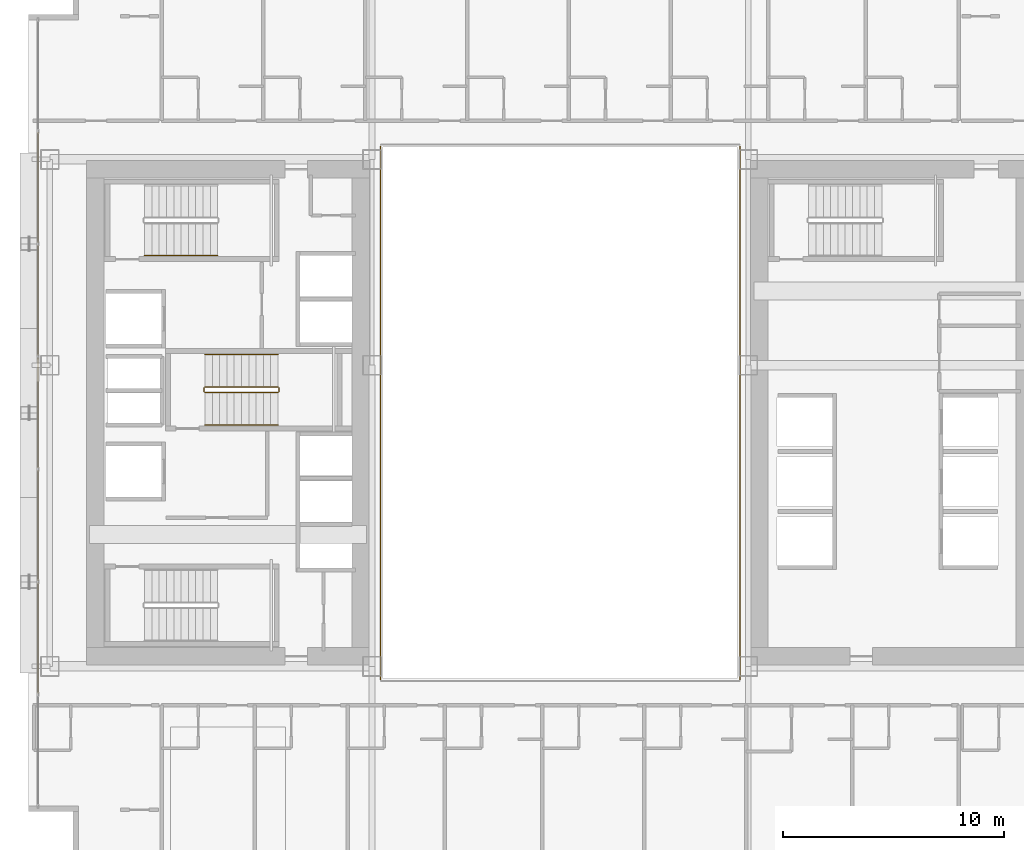
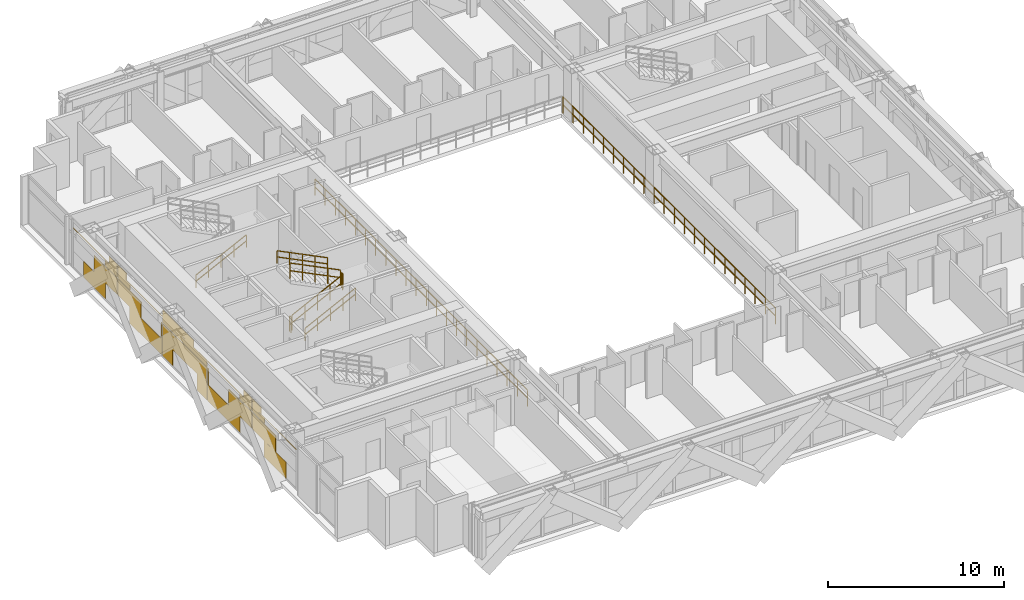
# One storey, part 34 of 36: 9 railings, 1 covering.
"""IFC4 building model written with IfcOpenShell, lengths in metres."""

from ifc_helpers import new_model, si_unit, direction, frame, origin, origin_2d, place, context, subcontext, project, spatial, rectangle, extrude, material, layer, layer_set, type_object, element, save


model = new_model("IFC4")

# Units and contexts
model_context = context("Model", 3, precision=1e-05, world=origin(), true_north=direction((0.0, 1.0)))
body_context = subcontext(model_context, "Body", "Model", "MODEL_VIEW")
ifc_project = project(units=[si_unit("LENGTHUNIT", "METRE"), si_unit("AREAUNIT", "SQUARE_METRE"), si_unit("VOLUMEUNIT", "CUBIC_METRE"), si_unit("PLANEANGLEUNIT", "RADIAN"), si_unit("MASSUNIT", "GRAM", prefix="KILO")], contexts=[model_context])

# Site, building, storey
site_placement = place(None, origin())
site = spatial("IfcSite", under=ifc_project, at=site_placement, CompositionType="ELEMENT")
building_placement = place(site_placement, origin())
building = spatial("IfcBuilding", under=site, at=building_placement, Name="Ocotamira Hotel", CompositionType="ELEMENT")
storey_placement = place(building_placement, frame((0.0, 0.0, 42.0)))
storey = spatial("IfcBuildingStorey", under=building, at=storey_placement, Name="L09", CompositionType="ELEMENT", Elevation=42.0)

# Covering
ifc_material_1 = material(Name="Insulated pale-metal aluminium spandrel panel", Category="aluminium")
ifc_layer = layer(ifc_material_1, 0.044921875)
ifc_layer_set = layer_set([ifc_layer], Name="Insulated pale-metal aluminium spandrel panel")
covering_type = type_object("IfcCoveringType", Name="COV-INFILL-45", PredefinedType="CLADDING", material=ifc_layer_set)
covering_placement = place(storey_placement, origin())
element("IfcCovering", 1, at=covering_placement, inside=storey, type_object=covering_type, Name="L09 Curtain Wall Infill CW-2 CW-L09-W", PredefinedType="CLADDING", context=body_context, shape_type="SweptSolid", body=[
    extrude(rectangle(XDim=2.49658203125, YDim=0.044921875, at=origin_2d()), frame((8.419921875, 15.752685546875, 0.07568359375), z_axis=(0.0, 0.0, 1.0), x_axis=(0.0, 1.0, 0.0)), (0.0, 0.0, 1.0), 1.11767578125),
    extrude(rectangle(XDim=2.640625, YDim=0.044921875, at=origin_2d()), frame((8.419921875, 17.010498046875, 1.1943359375), z_axis=(0.0, 0.0, 1.0), x_axis=(0.0, 1.0, 0.0)), (0.0, 0.0, 1.0), 1.11767578125),
    extrude(rectangle(XDim=5.004638671875, YDim=0.044921875, at=origin_2d()), frame((8.419921875, 15.82861328125, 2.756103515625), z_axis=(0.0, 0.0, 1.0), x_axis=(0.0, 1.0, 0.0)), (0.0, 0.0, 1.0), 0.033203125),
    extrude(rectangle(XDim=1.375, YDim=0.044921875, at=origin_2d()), frame((8.419921875, 17.643310546875, 2.38818359375), z_axis=(0.0, 0.0, 1.0), x_axis=(0.0, 1.0, 0.0)), (0.0, 0.0, 1.0), 0.366943359375),
    extrude(rectangle(XDim=0.948486328125, YDim=0.044921875, at=origin_2d()), frame((8.419921875, 17.856689453125, 2.79052734375), z_axis=(0.0, 0.0, 1.0), x_axis=(0.0, 1.0, 0.0)), (0.0, 0.0, 1.0), 0.484130859375),
    extrude(rectangle(XDim=2.631103515625, YDim=0.044921875, at=origin_2d()), frame((8.419921875, 19.727294921875, 1.1943359375), z_axis=(0.0, 0.0, 1.0), x_axis=(0.0, 1.0, 0.0)), (0.0, 0.0, 1.0), 1.11767578125),
    extrude(rectangle(XDim=3.684326171875, YDim=0.044921875, at=origin_2d()), frame((8.419921875, 21.574462890625, 0.07568359375), z_axis=(0.0, 0.0, 1.0), x_axis=(0.0, 1.0, 0.0)), (0.0, 0.0, 1.0), 1.11767578125),
    extrude(rectangle(XDim=0.093017578125, YDim=0.044921875, at=origin_2d()), frame((8.419921875, 23.3701171875, 1.1943359375), z_axis=(0.0, 0.0, 1.0), x_axis=(0.0, 1.0, 0.0)), (0.0, 0.0, 1.0), 1.11767578125),
    extrude(rectangle(XDim=1.365478515625, YDim=0.044921875, at=origin_2d()), frame((8.419921875, 19.094482421875, 2.38818359375), z_axis=(0.0, 0.0, 1.0), x_axis=(0.0, 1.0, 0.0)), (0.0, 0.0, 1.0), 0.366943359375),
    extrude(rectangle(XDim=5.004638671875, YDim=0.044921875, at=origin_2d()), frame((8.419921875, 20.914306640625, 2.756103515625), z_axis=(0.0, 0.0, 1.0), x_axis=(0.0, 1.0, 0.0)), (0.0, 0.0, 1.0), 0.033203125),
    extrude(rectangle(XDim=0.93896484375, YDim=0.044921875, at=origin_2d()), frame((8.419921875, 18.88134765625, 2.79052734375), z_axis=(0.0, 0.0, 1.0), x_axis=(0.0, 1.0, 0.0)), (0.0, 0.0, 1.0), 0.484130859375),
    extrude(rectangle(XDim=1.13671875, YDim=0.044921875, at=origin_2d()), frame((8.419921875, 24.06591796875, 0.07568359375), z_axis=(0.0, 0.0, 1.0), x_axis=(0.0, 1.0, 0.0)), (0.0, 0.0, 1.0), 1.11767578125),
    extrude(rectangle(XDim=5.004638671875, YDim=0.044921875, at=origin_2d()), frame((8.419921875, 26.0, 1.1943359375), z_axis=(0.0, 0.0, 1.0), x_axis=(0.0, 1.0, 0.0)), (0.0, 0.0, 1.0), 1.11767578125),
    extrude(rectangle(XDim=1.13671875, YDim=0.044921875, at=origin_2d()), frame((8.419921875, 27.93408203125, 0.07568359375), z_axis=(0.0, 0.0, 1.0), x_axis=(0.0, 1.0, 0.0)), (0.0, 0.0, 1.0), 1.11767578125),
    extrude(rectangle(XDim=5.004638671875, YDim=0.044921875, at=origin_2d()), frame((8.419921875, 26.0, 2.387939453125), z_axis=(0.0, 0.0, 1.0), x_axis=(0.0, 1.0, 0.0)), (0.0, 0.0, 1.0), 0.4013671875),
    extrude(rectangle(XDim=3.486572265625, YDim=0.044921875, at=origin_2d()), frame((8.419921875, 26.759033203125, 2.79052734375), z_axis=(0.0, 0.0, 1.0), x_axis=(0.0, 1.0, 0.0)), (0.0, 0.0, 1.0), 0.484130859375),
    extrude(rectangle(XDim=3.684326171875, YDim=0.044921875, at=origin_2d()), frame((8.419921875, 30.425537109375, 0.07568359375), z_axis=(0.0, 0.0, 1.0), x_axis=(0.0, 1.0, 0.0)), (0.0, 0.0, 1.0), 1.11767578125),
    extrude(rectangle(XDim=0.093017578125, YDim=0.044921875, at=origin_2d()), frame((8.419921875, 28.6298828125, 1.1943359375), z_axis=(0.0, 0.0, 1.0), x_axis=(0.0, 1.0, 0.0)), (0.0, 0.0, 1.0), 1.11767578125),
    extrude(rectangle(XDim=2.631103515625, YDim=0.044921875, at=origin_2d()), frame((8.419921875, 32.272705078125, 1.1943359375), z_axis=(0.0, 0.0, 1.0), x_axis=(0.0, 1.0, 0.0)), (0.0, 0.0, 1.0), 1.11767578125),
    extrude(rectangle(XDim=5.004638671875, YDim=0.044921875, at=origin_2d()), frame((8.419921875, 31.085693359375, 2.756103515625), z_axis=(0.0, 0.0, 1.0), x_axis=(0.0, 1.0, 0.0)), (0.0, 0.0, 1.0), 0.033203125),
    extrude(rectangle(XDim=1.365478515625, YDim=0.044921875, at=origin_2d()), frame((8.419921875, 32.905517578125, 2.38818359375), z_axis=(0.0, 0.0, 1.0), x_axis=(0.0, 1.0, 0.0)), (0.0, 0.0, 1.0), 0.366943359375),
    extrude(rectangle(XDim=0.93896484375, YDim=0.044921875, at=origin_2d()), frame((8.419921875, 33.11865234375, 2.79052734375), z_axis=(0.0, 0.0, 1.0), x_axis=(0.0, 1.0, 0.0)), (0.0, 0.0, 1.0), 0.484130859375),
    extrude(rectangle(XDim=2.640625, YDim=0.044921875, at=origin_2d()), frame((8.419921875, 34.989501953125, 1.1943359375), z_axis=(0.0, 0.0, 1.0), x_axis=(0.0, 1.0, 0.0)), (0.0, 0.0, 1.0), 1.11767578125),
    extrude(rectangle(XDim=2.49658203125, YDim=0.044921875, at=origin_2d()), frame((8.419921875, 36.247314453125, 0.07568359375), z_axis=(0.0, 0.0, 1.0), x_axis=(0.0, 1.0, 0.0)), (0.0, 0.0, 1.0), 1.11767578125),
    extrude(rectangle(XDim=1.375, YDim=0.044921875, at=origin_2d()), frame((8.419921875, 34.356689453125, 2.38818359375), z_axis=(0.0, 0.0, 1.0), x_axis=(0.0, 1.0, 0.0)), (0.0, 0.0, 1.0), 0.366943359375),
    extrude(rectangle(XDim=5.004638671875, YDim=0.044921875, at=origin_2d()), frame((8.419921875, 36.17138671875, 2.756103515625), z_axis=(0.0, 0.0, 1.0), x_axis=(0.0, 1.0, 0.0)), (0.0, 0.0, 1.0), 0.033203125),
    extrude(rectangle(XDim=0.948486328125, YDim=0.044921875, at=origin_2d()), frame((8.419921875, 34.143310546875, 2.79052734375), z_axis=(0.0, 0.0, 1.0), x_axis=(0.0, 1.0, 0.0)), (0.0, 0.0, 1.0), 0.484130859375),
])

# Railings
ifc_material_2 = material(Name="Painted steel stair guardrail", Category="steel")
railing_type_1 = type_object("IfcRailingType", Name="RL-EDGE-1150", PredefinedType="GUARDRAIL", material=ifc_material_2)
railing_1_placement = place(storey_placement, frame((40.1201171875, 13.9599609375, 0.0)))
element("IfcRailing", 2, at=railing_1_placement, inside=storey, type_object=railing_type_1, Name="L09 Central Atrium Edge Guardrail E", PredefinedType="GUARDRAIL", context=body_context, shape_type="SweptSolid", body=[
    extrude(rectangle(XDim=0.048095703125, YDim=0.048095703125, at=origin_2d()), frame((0.0, 0.0, 1.1259765625), z_axis=(0.0, 1.0, 0.0), x_axis=(-1.0, 0.0, 0.0)), (0.0, 0.0, 1.0), 24.080078125),
    extrude(rectangle(XDim=0.048095703125, YDim=0.048095703125, at=origin_2d()), frame((0.0, 0.0, 0.574951171875), z_axis=(0.0, 1.0, 0.0), x_axis=(-1.0, 0.0, 0.0)), (0.0, 0.0, 1.0), 24.080078125),
    extrude(rectangle(XDim=0.0419921875, YDim=0.0419921875, at=origin_2d()), origin(), (0.0, 0.0, 1.0), 1.101806640625),
    extrude(rectangle(XDim=0.0419921875, YDim=0.0419921875, at=origin_2d()), frame((0.0, 1.146728515625, 0.0)), (0.0, 0.0, 1.0), 1.101806640625),
    extrude(rectangle(XDim=0.0419921875, YDim=0.0419921875, at=origin_2d()), frame((0.0, 2.29345703125, 0.0)), (0.0, 0.0, 1.0), 1.101806640625),
    extrude(rectangle(XDim=0.0419921875, YDim=0.0419921875, at=origin_2d()), frame((0.0, 3.43994140625, 0.0)), (0.0, 0.0, 1.0), 1.101806640625),
    extrude(rectangle(XDim=0.0419921875, YDim=0.0419921875, at=origin_2d()), frame((0.0, 4.586669921875, 0.0)), (0.0, 0.0, 1.0), 1.101806640625),
    extrude(rectangle(XDim=0.0419921875, YDim=0.0419921875, at=origin_2d()), frame((0.0, 5.7333984375, 0.0)), (0.0, 0.0, 1.0), 1.101806640625),
    extrude(rectangle(XDim=0.0419921875, YDim=0.0419921875, at=origin_2d()), frame((0.0, 6.880126953125, 0.0)), (0.0, 0.0, 1.0), 1.101806640625),
    extrude(rectangle(XDim=0.0419921875, YDim=0.0419921875, at=origin_2d()), frame((0.0, 8.026611328125, 0.0)), (0.0, 0.0, 1.0), 1.101806640625),
    extrude(rectangle(XDim=0.0419921875, YDim=0.0419921875, at=origin_2d()), frame((0.0, 9.17333984375, 0.0)), (0.0, 0.0, 1.0), 1.101806640625),
    extrude(rectangle(XDim=0.0419921875, YDim=0.0419921875, at=origin_2d()), frame((0.0, 10.320068359375, 0.0)), (0.0, 0.0, 1.0), 1.101806640625),
    extrude(rectangle(XDim=0.0419921875, YDim=0.0419921875, at=origin_2d()), frame((0.0, 11.466796875, 0.0)), (0.0, 0.0, 1.0), 1.101806640625),
    extrude(rectangle(XDim=0.0419921875, YDim=0.0419921875, at=origin_2d()), frame((0.0, 12.61328125, 0.0)), (0.0, 0.0, 1.0), 1.101806640625),
    extrude(rectangle(XDim=0.0419921875, YDim=0.0419921875, at=origin_2d()), frame((0.0, 13.760009765625, 0.0)), (0.0, 0.0, 1.0), 1.101806640625),
    extrude(rectangle(XDim=0.0419921875, YDim=0.0419921875, at=origin_2d()), frame((0.0, 14.90673828125, 0.0)), (0.0, 0.0, 1.0), 1.101806640625),
    extrude(rectangle(XDim=0.0419921875, YDim=0.0419921875, at=origin_2d()), frame((0.0, 16.053466796875, 0.0)), (0.0, 0.0, 1.0), 1.101806640625),
    extrude(rectangle(XDim=0.0419921875, YDim=0.0419921875, at=origin_2d()), frame((0.0, 17.199951171875, 0.0)), (0.0, 0.0, 1.0), 1.101806640625),
    extrude(rectangle(XDim=0.0419921875, YDim=0.0419921875, at=origin_2d()), frame((0.0, 18.3466796875, 0.0)), (0.0, 0.0, 1.0), 1.101806640625),
    extrude(rectangle(XDim=0.0419921875, YDim=0.0419921875, at=origin_2d()), frame((0.0, 19.493408203125, 0.0)), (0.0, 0.0, 1.0), 1.101806640625),
    extrude(rectangle(XDim=0.0419921875, YDim=0.0419921875, at=origin_2d()), frame((0.0, 20.64013671875, 0.0)), (0.0, 0.0, 1.0), 1.101806640625),
    extrude(rectangle(XDim=0.0419921875, YDim=0.0419921875, at=origin_2d()), frame((0.0, 21.78662109375, 0.0)), (0.0, 0.0, 1.0), 1.101806640625),
    extrude(rectangle(XDim=0.0419921875, YDim=0.0419921875, at=origin_2d()), frame((0.0, 22.933349609375, 0.0)), (0.0, 0.0, 1.0), 1.101806640625),
    extrude(rectangle(XDim=0.0419921875, YDim=0.0419921875, at=origin_2d()), frame((0.0, 24.080078125, 0.0)), (0.0, 0.0, 1.0), 1.101806640625),
])
railing_2_placement = place(storey_placement, frame((23.8798828125, 38.0400390625, 0.0)))
element("IfcRailing", 3, at=railing_2_placement, inside=storey, type_object=railing_type_1, Name="L09 Central Atrium Edge Guardrail W", PredefinedType="GUARDRAIL", context=body_context, shape_type="SweptSolid", body=[
    extrude(rectangle(XDim=0.048095703125, YDim=0.048095703125, at=origin_2d()), frame((0.0, 0.0, 1.1259765625), z_axis=(0.0, -1.0, 0.0), x_axis=(1.0, 0.0, 0.0)), (0.0, 0.0, 1.0), 24.080078125),
    extrude(rectangle(XDim=0.048095703125, YDim=0.048095703125, at=origin_2d()), frame((0.0, 0.0, 0.574951171875), z_axis=(0.0, -1.0, 0.0), x_axis=(1.0, 0.0, 0.0)), (0.0, 0.0, 1.0), 24.080078125),
    extrude(rectangle(XDim=0.0419921875, YDim=0.0419921875, at=origin_2d()), origin(), (0.0, 0.0, 1.0), 1.101806640625),
    extrude(rectangle(XDim=0.0419921875, YDim=0.0419921875, at=origin_2d()), frame((0.0, -1.146728515625, 0.0)), (0.0, 0.0, 1.0), 1.101806640625),
    extrude(rectangle(XDim=0.0419921875, YDim=0.0419921875, at=origin_2d()), frame((0.0, -2.29345703125, 0.0)), (0.0, 0.0, 1.0), 1.101806640625),
    extrude(rectangle(XDim=0.0419921875, YDim=0.0419921875, at=origin_2d()), frame((0.0, -3.43994140625, 0.0)), (0.0, 0.0, 1.0), 1.101806640625),
    extrude(rectangle(XDim=0.0419921875, YDim=0.0419921875, at=origin_2d()), frame((0.0, -4.586669921875, 0.0)), (0.0, 0.0, 1.0), 1.101806640625),
    extrude(rectangle(XDim=0.0419921875, YDim=0.0419921875, at=origin_2d()), frame((0.0, -5.7333984375, 0.0)), (0.0, 0.0, 1.0), 1.101806640625),
    extrude(rectangle(XDim=0.0419921875, YDim=0.0419921875, at=origin_2d()), frame((0.0, -6.880126953125, 0.0)), (0.0, 0.0, 1.0), 1.101806640625),
    extrude(rectangle(XDim=0.0419921875, YDim=0.0419921875, at=origin_2d()), frame((0.0, -8.026611328125, 0.0)), (0.0, 0.0, 1.0), 1.101806640625),
    extrude(rectangle(XDim=0.0419921875, YDim=0.0419921875, at=origin_2d()), frame((0.0, -9.17333984375, 0.0)), (0.0, 0.0, 1.0), 1.101806640625),
    extrude(rectangle(XDim=0.0419921875, YDim=0.0419921875, at=origin_2d()), frame((0.0, -10.320068359375, 0.0)), (0.0, 0.0, 1.0), 1.101806640625),
    extrude(rectangle(XDim=0.0419921875, YDim=0.0419921875, at=origin_2d()), frame((0.0, -11.466796875, 0.0)), (0.0, 0.0, 1.0), 1.101806640625),
    extrude(rectangle(XDim=0.0419921875, YDim=0.0419921875, at=origin_2d()), frame((0.0, -12.61328125, 0.0)), (0.0, 0.0, 1.0), 1.101806640625),
    extrude(rectangle(XDim=0.0419921875, YDim=0.0419921875, at=origin_2d()), frame((0.0, -13.760009765625, 0.0)), (0.0, 0.0, 1.0), 1.101806640625),
    extrude(rectangle(XDim=0.0419921875, YDim=0.0419921875, at=origin_2d()), frame((0.0, -14.90673828125, 0.0)), (0.0, 0.0, 1.0), 1.101806640625),
    extrude(rectangle(XDim=0.0419921875, YDim=0.0419921875, at=origin_2d()), frame((0.0, -16.053466796875, 0.0)), (0.0, 0.0, 1.0), 1.101806640625),
    extrude(rectangle(XDim=0.0419921875, YDim=0.0419921875, at=origin_2d()), frame((0.0, -17.199951171875, 0.0)), (0.0, 0.0, 1.0), 1.101806640625),
    extrude(rectangle(XDim=0.0419921875, YDim=0.0419921875, at=origin_2d()), frame((0.0, -18.3466796875, 0.0)), (0.0, 0.0, 1.0), 1.101806640625),
    extrude(rectangle(XDim=0.0419921875, YDim=0.0419921875, at=origin_2d()), frame((0.0, -19.493408203125, 0.0)), (0.0, 0.0, 1.0), 1.101806640625),
    extrude(rectangle(XDim=0.0419921875, YDim=0.0419921875, at=origin_2d()), frame((0.0, -20.64013671875, 0.0)), (0.0, 0.0, 1.0), 1.101806640625),
    extrude(rectangle(XDim=0.0419921875, YDim=0.0419921875, at=origin_2d()), frame((0.0, -21.78662109375, 0.0)), (0.0, 0.0, 1.0), 1.101806640625),
    extrude(rectangle(XDim=0.0419921875, YDim=0.0419921875, at=origin_2d()), frame((0.0, -22.933349609375, 0.0)), (0.0, 0.0, 1.0), 1.101806640625),
    extrude(rectangle(XDim=0.0419921875, YDim=0.0419921875, at=origin_2d()), frame((0.0, -24.080078125, 0.0)), (0.0, 0.0, 1.0), 1.101806640625),
])
ifc_material_3 = material(Name="Brushed stainless steel handrail", Category="steel")
railing_type_2 = type_object("IfcRailingType", Name="RL-HAND-900", PredefinedType="HANDRAIL", material=ifc_material_3)
for number, where, name in (
    (4, (13.22998046875, 33.10009765625, 0.327392578125), "L09 ST-2 stair handrail 1"),
    (5, (15.9599609375, 25.449951171875, 0.327392578125), "L09 ST-3 stair handrail 1"),
):
    element("IfcRailing", number, at=place(storey_placement, frame(where)), inside=storey, type_object=railing_type_2, Name=name, PredefinedType="HANDRAIL", context=body_context, shape_type="SweptSolid", body=[
        extrude(rectangle(XDim=0.048095703125, YDim=0.048095703125, at=origin_2d()), frame((0.0, 0.0, 0.8759765625), z_axis=(0.895920123917, 0.0, 0.444215186098), x_axis=(0.0, 1.0, 0.0)), (0.0, 0.0, 1.0), 3.683349609375),
        extrude(rectangle(XDim=0.048095703125, YDim=0.048095703125, at=origin_2d()), frame((0.0, 0.0, 0.449951171875), z_axis=(0.895920123917, 0.0, 0.444215186098), x_axis=(0.0, 1.0, 0.0)), (0.0, 0.0, 1.0), 3.683349609375),
        extrude(rectangle(XDim=0.0419921875, YDim=0.0419921875, at=origin_2d()), origin(), (0.0, 0.0, 1.0), 0.851806640625),
        extrude(rectangle(XDim=0.0419921875, YDim=0.0419921875, at=origin_2d()), frame((0.824951171875, 0.0, 0.4091796875)), (0.0, 0.0, 1.0), 0.851806640625),
        extrude(rectangle(XDim=0.0419921875, YDim=0.0419921875, at=origin_2d()), frame((1.64990234375, 0.0, 0.818115234375)), (0.0, 0.0, 1.0), 0.851806640625),
        extrude(rectangle(XDim=0.0419921875, YDim=0.0419921875, at=origin_2d()), frame((2.47509765625, 0.0, 1.22705078125)), (0.0, 0.0, 1.0), 0.851806640625),
        extrude(rectangle(XDim=0.0419921875, YDim=0.0419921875, at=origin_2d()), frame((3.300048828125, 0.0, 1.63623046875)), (0.0, 0.0, 1.0), 0.851806640625),
    ])
railing_3_placement = place(storey_placement, frame((19.260009765625, 28.6298828125, 2.127197265625)))
element("IfcRailing", 6, at=railing_3_placement, inside=storey, type_object=railing_type_2, Name="L09 ST-3 stair handrail 2", PredefinedType="HANDRAIL", context=body_context, shape_type="SweptSolid", body=[
    extrude(rectangle(XDim=0.048095703125, YDim=0.048095703125, at=origin_2d()), frame((0.0, 0.0, 0.8759765625), z_axis=(-0.895893744519, 0.0, 0.4442683857), x_axis=(0.0, -1.0, 0.0)), (0.0, 0.0, 1.0), 3.68359375),
    extrude(rectangle(XDim=0.048095703125, YDim=0.048095703125, at=origin_2d()), frame((0.0, 0.0, 0.449951171875), z_axis=(-0.895893744519, 0.0, 0.4442683857), x_axis=(0.0, -1.0, 0.0)), (0.0, 0.0, 1.0), 3.68359375),
    extrude(rectangle(XDim=0.0419921875, YDim=0.0419921875, at=origin_2d()), origin(), (0.0, 0.0, 1.0), 0.851806640625),
    extrude(rectangle(XDim=0.0419921875, YDim=0.0419921875, at=origin_2d()), frame((-0.824951171875, 0.0, 0.4091796875)), (0.0, 0.0, 1.0), 0.851806640625),
    extrude(rectangle(XDim=0.0419921875, YDim=0.0419921875, at=origin_2d()), frame((-1.64990234375, 0.0, 0.818359375)), (0.0, 0.0, 1.0), 0.851806640625),
    extrude(rectangle(XDim=0.0419921875, YDim=0.0419921875, at=origin_2d()), frame((-2.47509765625, 0.0, 1.227294921875)), (0.0, 0.0, 1.0), 0.851806640625),
    extrude(rectangle(XDim=0.0419921875, YDim=0.0419921875, at=origin_2d()), frame((-3.300048828125, 0.0, 1.636474609375)), (0.0, 0.0, 1.0), 0.851806640625),
])
railing_type_3 = type_object("IfcRailingType", Name="RL-STAIR-1100", PredefinedType="GUARDRAIL", material=ifc_material_2)
railing_4_placement = place(storey_placement, frame((15.9599609375, 26.909912109375, 0.16357421875)))
element("IfcRailing", 7, at=railing_4_placement, inside=storey, type_object=railing_type_3, Name="L09 ST-3 stair guard 1", PredefinedType="GUARDRAIL", context=body_context, shape_type="SweptSolid", body=[
    extrude(rectangle(XDim=0.048095703125, YDim=0.048095703125, at=origin_2d()), frame((0.0, 0.0, 1.076171875), z_axis=(0.895893744519, 0.0, 0.4442683857), x_axis=(0.0, 1.0, 0.0)), (0.0, 0.0, 1.0), 3.68359375),
    extrude(rectangle(XDim=0.048095703125, YDim=0.048095703125, at=origin_2d()), frame((0.0, 0.0, 0.550048828125), z_axis=(0.895893744519, 0.0, 0.4442683857), x_axis=(0.0, 1.0, 0.0)), (0.0, 0.0, 1.0), 3.68359375),
    extrude(rectangle(XDim=0.0419921875, YDim=0.0419921875, at=origin_2d()), origin(), (0.0, 0.0, 1.0), 1.052001953125),
    extrude(rectangle(XDim=0.0419921875, YDim=0.0419921875, at=origin_2d()), frame((0.824951171875, 0.0, 0.4091796875)), (0.0, 0.0, 1.0), 1.052001953125),
    extrude(rectangle(XDim=0.0419921875, YDim=0.0419921875, at=origin_2d()), frame((1.64990234375, 0.0, 0.818359375)), (0.0, 0.0, 1.0), 1.052001953125),
    extrude(rectangle(XDim=0.0419921875, YDim=0.0419921875, at=origin_2d()), frame((2.47509765625, 0.0, 1.227294921875)), (0.0, 0.0, 1.0), 1.052001953125),
    extrude(rectangle(XDim=0.0419921875, YDim=0.0419921875, at=origin_2d()), frame((3.300048828125, 0.0, 1.636474609375)), (0.0, 0.0, 1.0), 1.052001953125),
])
railing_5_placement = place(storey_placement, frame((19.31005859375, 26.9599609375, 1.800048828125)))
element("IfcRailing", 8, at=railing_5_placement, inside=storey, type_object=railing_type_3, Name="L09 ST-3 stair guard 2", PredefinedType="GUARDRAIL", context=body_context, shape_type="SweptSolid", body=[
    extrude(rectangle(XDim=0.048095703125, YDim=0.048095703125, at=origin_2d()), frame((0.0, 0.0, 1.076171875), z_axis=(0.0, 1.0, 0.0), x_axis=(-1.0, 0.0, 0.0)), (0.0, 0.0, 1.0), 0.16015625),
    extrude(rectangle(XDim=0.048095703125, YDim=0.048095703125, at=origin_2d()), frame((0.0, 0.0, 0.550048828125), z_axis=(0.0, 1.0, 0.0), x_axis=(-1.0, 0.0, 0.0)), (0.0, 0.0, 1.0), 0.16015625),
    extrude(rectangle(XDim=0.0419921875, YDim=0.0419921875, at=origin_2d()), origin(), (0.0, 0.0, 1.0), 1.052001953125),
    extrude(rectangle(XDim=0.0419921875, YDim=0.0419921875, at=origin_2d()), frame((0.0, 0.16015625, 0.0)), (0.0, 0.0, 1.0), 1.052001953125),
])
railing_6_placement = place(storey_placement, frame((19.260009765625, 27.169921875, 1.963623046875)))
element("IfcRailing", 9, at=railing_6_placement, inside=storey, type_object=railing_type_3, Name="L09 ST-3 stair guard 3", PredefinedType="GUARDRAIL", context=body_context, shape_type="SweptSolid", body=[
    extrude(rectangle(XDim=0.048095703125, YDim=0.048095703125, at=origin_2d()), frame((0.0, 0.0, 1.076171875), z_axis=(-0.895893744519, 0.0, 0.4442683857), x_axis=(0.0, -1.0, 0.0)), (0.0, 0.0, 1.0), 3.68359375),
    extrude(rectangle(XDim=0.048095703125, YDim=0.048095703125, at=origin_2d()), frame((0.0, 0.0, 0.550048828125), z_axis=(-0.895893744519, 0.0, 0.4442683857), x_axis=(0.0, -1.0, 0.0)), (0.0, 0.0, 1.0), 3.68359375),
    extrude(rectangle(XDim=0.0419921875, YDim=0.0419921875, at=origin_2d()), origin(), (0.0, 0.0, 1.0), 1.052001953125),
    extrude(rectangle(XDim=0.0419921875, YDim=0.0419921875, at=origin_2d()), frame((-0.824951171875, 0.0, 0.4091796875)), (0.0, 0.0, 1.0), 1.052001953125),
    extrude(rectangle(XDim=0.0419921875, YDim=0.0419921875, at=origin_2d()), frame((-1.64990234375, 0.0, 0.818359375)), (0.0, 0.0, 1.0), 1.052001953125),
    extrude(rectangle(XDim=0.0419921875, YDim=0.0419921875, at=origin_2d()), frame((-2.47509765625, 0.0, 1.227294921875)), (0.0, 0.0, 1.0), 1.052001953125),
    extrude(rectangle(XDim=0.0419921875, YDim=0.0419921875, at=origin_2d()), frame((-3.300048828125, 0.0, 1.636474609375)), (0.0, 0.0, 1.0), 1.052001953125),
])
railing_7_placement = place(storey_placement, frame((15.909912109375, 26.9599609375, 0.0)))
element("IfcRailing", 10, at=railing_7_placement, inside=storey, type_object=railing_type_3, Name="L09 ST-3 stair guard 4", PredefinedType="GUARDRAIL", context=body_context, shape_type="SweptSolid", body=[
    extrude(rectangle(XDim=0.048095703125, YDim=0.048095703125, at=origin_2d()), frame((0.0, 0.0, 1.076171875), z_axis=(0.0, 1.0, 0.0), x_axis=(-1.0, 0.0, 0.0)), (0.0, 0.0, 1.0), 0.16015625),
    extrude(rectangle(XDim=0.048095703125, YDim=0.048095703125, at=origin_2d()), frame((0.0, 0.0, 0.550048828125), z_axis=(0.0, 1.0, 0.0), x_axis=(-1.0, 0.0, 0.0)), (0.0, 0.0, 1.0), 0.16015625),
    extrude(rectangle(XDim=0.0419921875, YDim=0.0419921875, at=origin_2d()), origin(), (0.0, 0.0, 1.0), 1.052001953125),
    extrude(rectangle(XDim=0.0419921875, YDim=0.0419921875, at=origin_2d()), frame((0.0, 0.16015625, 0.0)), (0.0, 0.0, 1.0), 1.052001953125),
])

save(model, "model.ifc")
